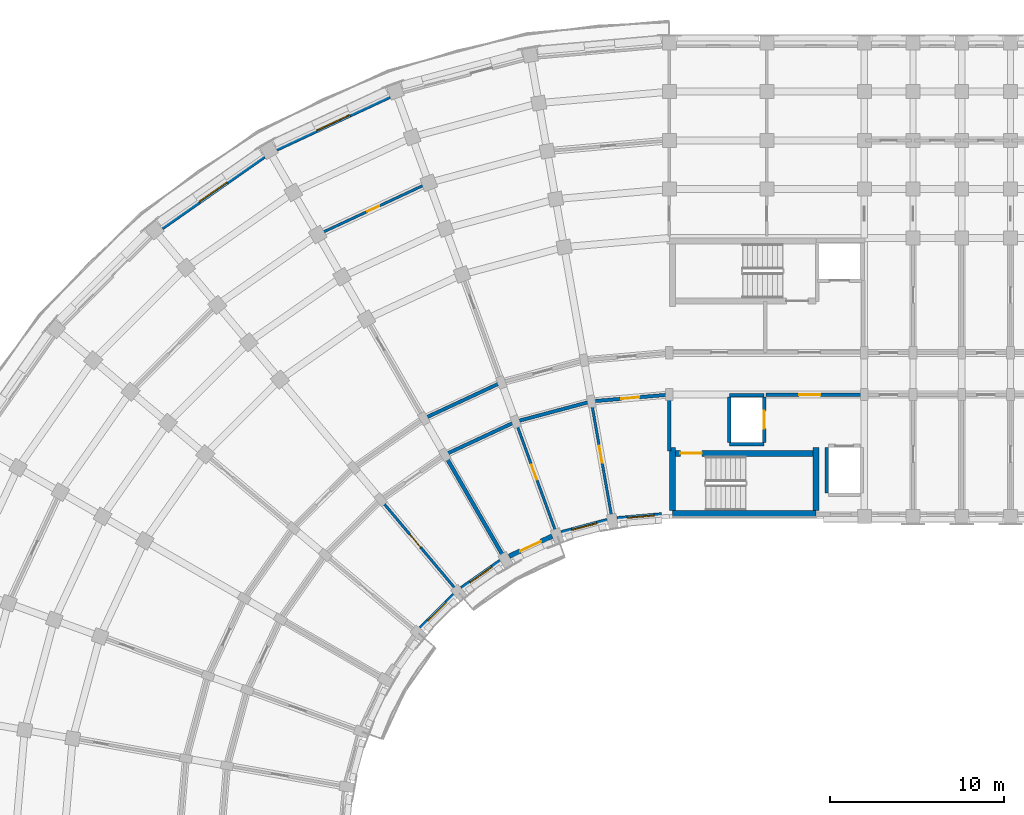
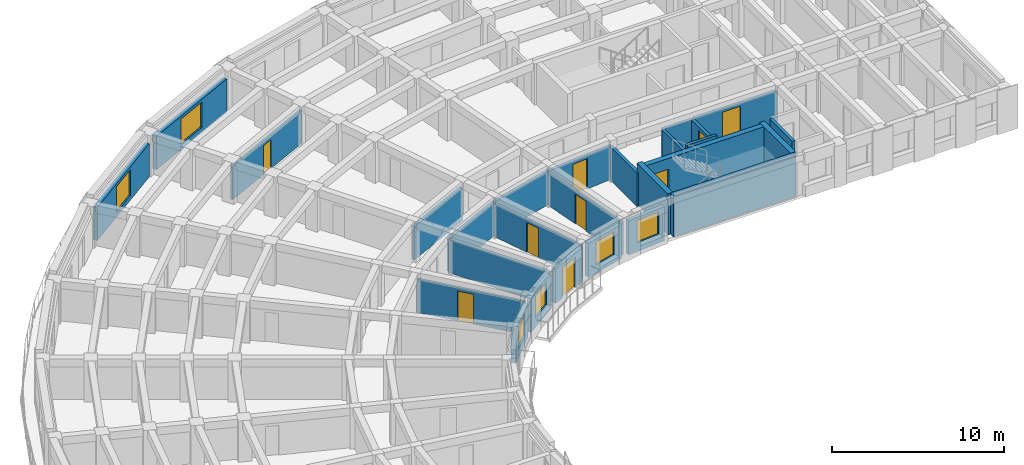
# One storey, part 25 of 54: 27 walls, 9 doors, 6 windows, 15 openings.
"""IFC4 building model written with IfcOpenShell, lengths in metres."""

from ifc_helpers import new_model, si_unit, direction, frame, frame_2d, origin, place, context, subcontext, project, spatial, rectangle, extrude, material, layer, layer_set, type_object, element, fill, save


model = new_model("IFC4")

# Units and contexts
model_context = context("Model", 3, precision=1e-05, world=origin(), true_north=direction((0.0, 1.0)))
body_context = subcontext(model_context, "Body", "Model", "MODEL_VIEW")
ifc_project = project(units=[si_unit("LENGTHUNIT", "METRE"), si_unit("AREAUNIT", "SQUARE_METRE"), si_unit("VOLUMEUNIT", "CUBIC_METRE"), si_unit("PLANEANGLEUNIT", "RADIAN"), si_unit("MASSUNIT", "GRAM", prefix="KILO")], contexts=[model_context])

# Site, building, storey
site_placement = place(None, origin())
site = spatial("IfcSite", under=ifc_project, at=site_placement, CompositionType="ELEMENT")
building_placement = place(site_placement, origin())
building = spatial("IfcBuilding", under=site, at=building_placement, Name="Kiranvali Square Residences", CompositionType="ELEMENT")
storey_placement = place(building_placement, frame((0.0, 0.0, 11.85009765625)))
storey = spatial("IfcBuildingStorey", under=building, at=storey_placement, Name="L03", CompositionType="ELEMENT", Elevation=11.85009765625)

# Wall, opening, door
ifc_material_1 = material(Name="Autoclaved aerated concrete blockwork masonry", Category="masonry")
ifc_layer_1 = layer(ifc_material_1, 0.199951171875)
ifc_layer_set_1 = layer_set([ifc_layer_1], Name="Autoclaved aerated concrete blockwork masonry")
wall_type_1 = type_object("IfcWallType", Name="WL-COR-200", PredefinedType="STANDARD", material=ifc_layer_set_1)
wall_1_placement = place(storey_placement, frame((53.75, 113.60009765625, 0.0), z_axis=(0.0, 0.0, 1.0), x_axis=(1.0, 0.0, 0.0)))
wall_1 = element("IfcWall", 1, at=wall_1_placement, inside=storey, type_object=wall_type_1, Name="L03 architectural wall WL-L03-A-LL-COR", PredefinedType="STANDARD", context=body_context, shape_type="SweptSolid", body=[
    extrude(rectangle(XDim=5.60009765625, YDim=0.199951171875, at=frame_2d((2.800048828125, 0.0))), origin(), (0.0, 0.0, 1.0), 2.371826171875),
])
opening_1_placement = place(wall_1_placement, frame((1.909912109375, 0.0, 0.0)))
opening_1 = element("IfcOpeningElement", 2, at=opening_1_placement, cuts=wall_1, Name="Opening FD-COR-60", PredefinedType="OPENING", context=body_context, shape_type="SweptSolid", body=[
    extrude(rectangle(XDim=1.219970703125, YDim=2.14990234375, at=frame_2d((0.60986328125, 1.074951171875))), frame((0.0, 0.10986328125, 0.0), z_axis=(0.0, -1.0, 0.0), x_axis=(1.0, 0.0, 0.0)), (0.0, 0.0, 1.0), 0.219970703125),
])
ifc_material_2 = material(Name="Fire-rated acoustic hardwood and mineral-core door assembly", Category="wood")
door_type_1 = type_object("IfcDoorType", Name="DR-FD60-1200", OperationType="NOTDEFINED", PredefinedType="DOOR", material=ifc_material_2)
door_1_placement = place(opening_1_placement, frame((1.219970703125, 0.0, 0.0), z_axis=(0.0, 0.0, 1.0), x_axis=(-1.0, 0.0, 0.0)))
door_1 = element("IfcDoor", 3, at=door_1_placement, inside=storey, type_object=door_type_1, Name="L03 door DR-L03-0222 (DR-FD60-1200)", OperationType="SINGLE_SWING_RIGHT", OverallHeight=2.14990234375, OverallWidth=1.219970703125, PredefinedType="DOOR", context=body_context, shape_type="SweptSolid", body=[
    extrude(rectangle(XDim=1.219970703125, YDim=2.14990234375, at=frame_2d((0.60986328125, 1.074951171875))), frame((0.0, 0.02490234375, 0.0), z_axis=(0.0, -1.0, 0.0), x_axis=(1.0, 0.0, 0.0)), (0.0, 0.0, 1.0), 0.050048828125),
])
fill(opening_1, door_1)

wall_2_placement = place(storey_placement, frame((48.199951171875, 113.60009765625, 0.0), z_axis=(0.0, 0.0, 1.0), x_axis=(-0.996191949488, -0.087187153726, 0.0)))
wall_2 = element("IfcWall", 4, at=wall_2_placement, inside=storey, type_object=wall_type_1, Name="L03 architectural wall WL-L03-A-CCI-0", PredefinedType="STANDARD", context=body_context, shape_type="SweptSolid", body=[
    extrude(rectangle(XDim=4.4970703125, YDim=0.199951171875, at=frame_2d((2.24853515625, 0.0))), origin(), (0.0, 0.0, 1.0), 2.371826171875),
])
opening_2_placement = place(wall_2_placement, frame((1.728515625, 0.0, 0.0)))
opening_2 = element("IfcOpeningElement", 5, at=opening_2_placement, cuts=wall_2, Name="Opening FD-APT-60B", PredefinedType="OPENING", context=body_context, shape_type="SweptSolid", body=[
    extrude(rectangle(XDim=1.0400390625, YDim=2.14990234375, at=frame_2d((0.52001953125, 1.074951171875))), frame((0.0, 0.10986328125, 0.0), z_axis=(0.0, -1.0, 0.0), x_axis=(1.0, 0.0, 0.0)), (0.0, 0.0, 1.0), 0.219970703125),
])
door_type_2 = type_object("IfcDoorType", Name="DR-APT-1040", OperationType="NOTDEFINED", PredefinedType="DOOR", material=ifc_material_2)
door_2_placement = place(opening_2_placement, frame((1.0400390625, 0.0, 0.0), z_axis=(0.0, 0.0, 1.0), x_axis=(-1.0, 0.0, 0.0)))
door_2 = element("IfcDoor", 6, at=door_2_placement, inside=storey, type_object=door_type_2, Name="L03 door DR-L03-0262 (DR-APT-1040)", OperationType="SINGLE_SWING_RIGHT", OverallHeight=2.14990234375, OverallWidth=1.0400390625, PredefinedType="DOOR", context=body_context, shape_type="SweptSolid", body=[
    extrude(rectangle(XDim=1.0400390625, YDim=2.14990234375, at=frame_2d((0.52001953125, 1.074951171875))), frame((0.0, 0.02490234375, 0.0), z_axis=(0.0, -1.0, 0.0), x_axis=(1.0, 0.0, 0.0)), (0.0, 0.0, 1.0), 0.050048828125),
])
fill(opening_2, door_2)

# Walls
for number, where, z_axis, x_axis, name in (
    (7, (43.719970703125, 113.2080078125, 0.0), (0.0, 0.0, 1.0), (-0.965934240054, -0.258787642463, 0.0), "L03 architectural wall WL-L03-A-CCI-1"),
    (8, (39.3759765625, 112.044189453125, 0.0), (0.0, 0.0, 1.0), (-0.906307919131, -0.422617978463, 0.0), "L03 architectural wall WL-L03-A-CCI-2"),
):
    element("IfcWall", number, at=place(storey_placement, frame(where, z_axis=z_axis, x_axis=x_axis)), inside=storey, type_object=wall_type_1, Name=name, PredefinedType="STANDARD", context=body_context, shape_type="SweptSolid", body=[
        extrude(rectangle(XDim=4.497314453125, YDim=0.199951171875, at=frame_2d((2.24853515625, 0.0))), origin(), (0.0, 0.0, 1.0), 2.371826171875),
    ])
wall_3_placement = place(storey_placement, frame((38.554931640625, 114.29931640625, 0.0), z_axis=(0.0, 0.0, 1.0), x_axis=(-0.906302381024, -0.422629854778, 0.0)))
element("IfcWall", 9, at=wall_3_placement, inside=storey, type_object=wall_type_1, Name="L03 architectural wall WL-L03-A-CCO-2", PredefinedType="STANDARD", context=body_context, shape_type="SweptSolid", body=[
    extrude(rectangle(XDim=4.915283203125, YDim=0.199951171875, at=frame_2d((2.45751953125, 0.0))), origin(), (0.0, 0.0, 1.0), 2.371826171875),
])
ifc_layer_2 = layer(ifc_material_1, 0.219970703125)
ifc_layer_set_2 = layer_set([ifc_layer_2], Name="Autoclaved aerated concrete blockwork masonry")
wall_type_2 = type_object("IfcWallType", Name="WL-DEM-220", PredefinedType="STANDARD", material=ifc_layer_set_2)
wall_4_placement = place(storey_placement, frame((48.199951171875, 110.35009765625, 0.0), z_axis=(0.0, 0.0, 1.0), x_axis=(0.0, 1.0, 0.0)))
element("IfcWall", 10, at=wall_4_placement, inside=storey, type_object=wall_type_2, Name="L03 architectural wall WL-L03-A-RADI-0", PredefinedType="STANDARD", context=body_context, shape_type="SweptSolid", body=[
    extrude(rectangle(XDim=3.199951171875, YDim=0.219970703125, at=frame_2d((1.60009765625, 0.0))), origin(), (0.0, 0.0, 1.0), 2.371826171875),
])
wall_5_placement = place(storey_placement, frame((38.699951171875, 104.25439453125, 0.0), z_axis=(0.0, 0.0, 1.0), x_axis=(-0.499997969693, 0.866026575979, 0.0)))
element("IfcWall", 11, at=wall_5_placement, inside=storey, type_object=wall_type_2, Name="L03 architectural wall WL-L03-A-RADI-3", PredefinedType="STANDARD", context=body_context, shape_type="SweptSolid", body=[
    extrude(rectangle(XDim=6.75, YDim=0.219970703125, at=frame_2d((3.375, 0.0))), origin(), (0.0, 0.0, 1.0), 2.371826171875),
])

# Wall, opening, window
ifc_material_3 = material(Name="Breathable lime-rendered clay brick masonry", Category="masonry")
ifc_layer_3 = layer(ifc_material_3, 0.27490234375)
ifc_layer_set_3 = layer_set([ifc_layer_3], Name="Breathable lime-rendered clay brick masonry")
wall_type_3 = type_object("IfcWallType", Name="WL-EXT-275", PredefinedType="STANDARD", material=ifc_layer_set_3)
wall_6_placement = place(storey_placement, frame((32.1328125, 130.732177734375, 0.0), z_axis=(0.0, 0.0, 1.0), x_axis=(-0.906300636296, -0.422633596215, 0.0)))
wall_6 = element("IfcWall", 12, at=wall_6_placement, inside=storey, type_object=wall_type_3, Name="L03 exterior wall A-L03-CRV-02", PredefinedType="STANDARD", context=body_context, shape_type="SweptSolid", body=[
    extrude(rectangle(XDim=7.164306640625, YDim=0.27490234375, at=frame_2d((3.58203125, 0.0))), origin(), (0.0, 0.0, 1.0), 2.371826171875),
])
opening_3_placement = place(wall_6_placement, frame((2.531982421875, 0.0, 0.3720703125)))
opening_3 = element("IfcOpeningElement", 13, at=opening_3_placement, cuts=wall_6, Name="Opening W-03", PredefinedType="OPENING", context=body_context, shape_type="SweptSolid", body=[
    extrude(rectangle(XDim=2.10009765625, YDim=1.800048828125, at=frame_2d((1.050048828125, 0.89990234375))), frame((0.0, 0.1474609375, 0.0), z_axis=(0.0, -1.0, 0.0), x_axis=(1.0, 0.0, 0.0)), (0.0, 0.0, 1.0), 0.294921875),
])
ifc_material_4 = material(Name="Solar-control low-e double glazing", Category="glass")
window_type_1 = type_object("IfcWindowType", Name="WIN-RES-2100x1800", PartitioningType="TRIPLE_PANEL_VERTICAL", PredefinedType="WINDOW", material=ifc_material_4)
window_1_placement = place(opening_3_placement, origin())
window_1 = element("IfcWindow", 14, at=window_1_placement, inside=storey, type_object=window_type_1, Name="L03 recessed window A-L03-CRV-02", OverallHeight=1.800048828125, OverallWidth=2.10009765625, PartitioningType="TRIPLE_PANEL_VERTICAL", PredefinedType="WINDOW", context=body_context, shape_type="SweptSolid", body=[
    extrude(rectangle(XDim=2.10009765625, YDim=1.800048828125, at=frame_2d((1.050048828125, 0.89990234375))), frame((0.0, 0.030029296875, 0.0), z_axis=(0.0, -1.0, 0.0), x_axis=(1.0, 0.0, 0.0)), (0.0, 0.0, 1.0), 0.06005859375),
])
fill(opening_3, window_1)

wall_7_placement = place(storey_placement, frame((24.921875, 127.289794921875, 0.0), z_axis=(0.0, 0.0, 1.0), x_axis=(-0.819161471697, -0.573562972382, 0.0)))
wall_7 = element("IfcWall", 15, at=wall_7_placement, inside=storey, type_object=wall_type_3, Name="L03 exterior wall A-L03-CRV-03", PredefinedType="STANDARD", context=body_context, shape_type="SweptSolid", body=[
    extrude(rectangle(XDim=7.164306640625, YDim=0.27490234375, at=frame_2d((3.58203125, 0.0))), origin(), (0.0, 0.0, 1.0), 2.371826171875),
])
opening_4_placement = place(wall_7_placement, frame((2.60693359375, 0.0, 0.322021484375)))
opening_4 = element("IfcOpeningElement", 16, at=opening_4_placement, cuts=wall_7, Name="Opening W-12", PredefinedType="OPENING", context=body_context, shape_type="SweptSolid", body=[
    extrude(rectangle(XDim=1.949951171875, YDim=1.85009765625, at=frame_2d((0.97509765625, 0.925048828125))), frame((0.0, 0.1474609375, 0.0), z_axis=(0.0, -1.0, 0.0), x_axis=(1.0, 0.0, 0.0)), (0.0, 0.0, 1.0), 0.294921875),
])
window_type_2 = type_object("IfcWindowType", Name="WIN-RES-1950x1850", PartitioningType="DOUBLE_PANEL_VERTICAL", PredefinedType="WINDOW", material=ifc_material_4)
window_2_placement = place(opening_4_placement, origin())
window_2 = element("IfcWindow", 17, at=window_2_placement, inside=storey, type_object=window_type_2, Name="L03 recessed window A-L03-CRV-03", OverallHeight=1.85009765625, OverallWidth=1.949951171875, PartitioningType="DOUBLE_PANEL_VERTICAL", PredefinedType="WINDOW", context=body_context, shape_type="SweptSolid", body=[
    extrude(rectangle(XDim=1.949951171875, YDim=1.85009765625, at=frame_2d((0.97509765625, 0.925048828125))), frame((0.0, 0.030029296875, 0.0), z_axis=(0.0, -1.0, 0.0), x_axis=(1.0, 0.0, 0.0)), (0.0, 0.0, 1.0), 0.06005859375),
])
fill(opening_4, window_2)

wall_8_placement = place(storey_placement, frame((47.750732421875, 106.686279296875, 0.0), z_axis=(0.0, 0.0, 1.0), x_axis=(-0.996194235595, -0.08716102895, 0.0)))
wall_8 = element("IfcWall", 18, at=wall_8_placement, inside=storey, type_object=wall_type_3, Name="L03 exterior wall A-L03-GDN-00", PredefinedType="STANDARD", context=body_context, shape_type="SweptSolid", body=[
    extrude(rectangle(XDim=2.557373046875, YDim=0.27490234375, at=frame_2d((1.27880859375, 0.0))), origin(), (0.0, 0.0, 1.0), 2.421875),
])
opening_5_placement = place(wall_8_placement, frame((0.423583984375, 0.0, 0.6220703125)))
opening_5 = element("IfcOpeningElement", 19, at=opening_5_placement, cuts=wall_8, Name="Opening W-18", PredefinedType="OPENING", context=body_context, shape_type="SweptSolid", body=[
    extrude(rectangle(XDim=1.550048828125, YDim=1.60009765625, at=frame_2d((0.77490234375, 0.800048828125))), frame((0.0, 0.1474609375, 0.0), z_axis=(0.0, -1.0, 0.0), x_axis=(1.0, 0.0, 0.0)), (0.0, 0.0, 1.0), 0.294921875),
])
window_type_3 = type_object("IfcWindowType", Name="WIN-GDN-1550x1600", PartitioningType="DOUBLE_PANEL_VERTICAL", PredefinedType="WINDOW", material=ifc_material_4)
window_3_placement = place(opening_5_placement, origin())
window_3 = element("IfcWindow", 20, at=window_3_placement, inside=storey, type_object=window_type_3, Name="L03 recessed window A-L03-GDN-00", OverallHeight=1.60009765625, OverallWidth=1.550048828125, PartitioningType="DOUBLE_PANEL_VERTICAL", PredefinedType="WINDOW", context=body_context, shape_type="SweptSolid", body=[
    extrude(rectangle(XDim=1.550048828125, YDim=1.60009765625, at=frame_2d((0.77490234375, 0.800048828125))), frame((0.0, 0.030029296875, 0.0), z_axis=(0.0, -1.0, 0.0), x_axis=(1.0, 0.0, 0.0)), (0.0, 0.0, 1.0), 0.06005859375),
])
fill(opening_5, window_3)

wall_9_placement = place(storey_placement, frame((44.6328125, 106.36279296875, 0.0), z_axis=(0.0, 0.0, 1.0), x_axis=(-0.965925595341, -0.258819907011, 0.0)))
wall_9 = element("IfcWall", 21, at=wall_9_placement, inside=storey, type_object=wall_type_3, Name="L03 exterior wall A-L03-GDN-01", PredefinedType="STANDARD", context=body_context, shape_type="SweptSolid", body=[
    extrude(rectangle(XDim=2.717529296875, YDim=0.27490234375, at=frame_2d((1.35888671875, 0.0))), origin(), (0.0, 0.0, 1.0), 2.421875),
])
opening_6_placement = place(wall_9_placement, frame((0.608642578125, 0.0, 0.572021484375)))
opening_6 = element("IfcOpeningElement", 22, at=opening_6_placement, cuts=wall_9, Name="Opening W-05", PredefinedType="OPENING", context=body_context, shape_type="SweptSolid", body=[
    extrude(rectangle(XDim=1.5, YDim=1.64990234375, at=frame_2d((0.75, 0.824951171875))), frame((0.0, 0.1474609375, 0.0), z_axis=(0.0, -1.0, 0.0), x_axis=(1.0, 0.0, 0.0)), (0.0, 0.0, 1.0), 0.294921875),
])
window_type_4 = type_object("IfcWindowType", Name="WIN-RES-1500x1650", PartitioningType="DOUBLE_PANEL_VERTICAL", PredefinedType="WINDOW", material=ifc_material_4)
window_4_placement = place(opening_6_placement, origin())
window_4 = element("IfcWindow", 23, at=window_4_placement, inside=storey, type_object=window_type_4, Name="L03 recessed window A-L03-GDN-01", OverallHeight=1.64990234375, OverallWidth=1.5, PartitioningType="DOUBLE_PANEL_VERTICAL", PredefinedType="WINDOW", context=body_context, shape_type="SweptSolid", body=[
    extrude(rectangle(XDim=1.5, YDim=1.64990234375, at=frame_2d((0.75, 0.824951171875))), frame((0.0, 0.030029296875, 0.0), z_axis=(0.0, -1.0, 0.0), x_axis=(1.0, 0.0, 0.0)), (0.0, 0.0, 1.0), 0.06005859375),
])
fill(opening_6, window_4)

# Wall, opening, door
wall_10_placement = place(storey_placement, frame((41.463623046875, 105.461181640625, 0.0), z_axis=(0.0, 0.0, 1.0), x_axis=(-0.906311629168, -0.422610022166, 0.0)))
wall_10 = element("IfcWall", 24, at=wall_10_placement, inside=storey, type_object=wall_type_3, Name="L03 exterior wall A-L03-GDN-02", PredefinedType="STANDARD", context=body_context, shape_type="SweptSolid", body=[
    extrude(rectangle(XDim=2.717529296875, YDim=0.27490234375, at=frame_2d((1.35888671875, 0.0))), origin(), (0.0, 0.0, 1.0), 2.421875),
])
opening_7_placement = place(wall_10_placement, frame((0.69873046875, 0.0, 0.0)))
opening_7 = element("IfcOpeningElement", 25, at=opening_7_placement, cuts=wall_10, Name="Opening ED-BAL-3", PredefinedType="OPENING", context=body_context, shape_type="SweptSolid", body=[
    extrude(rectangle(XDim=1.320068359375, YDim=2.14990234375, at=frame_2d((0.66015625, 1.074951171875))), frame((0.0, 0.1474609375, 0.0), z_axis=(0.0, -1.0, 0.0), x_axis=(1.0, 0.0, 0.0)), (0.0, 0.0, 1.0), 0.294921875),
])
ifc_material_5 = material(Name="Anodised bronze aluminium framing", Category="aluminium")
door_type_3 = type_object("IfcDoorType", Name="DR-BAL-1320", OperationType="NOTDEFINED", PredefinedType="DOOR", material=ifc_material_5)
door_3_placement = place(opening_7_placement, origin())
door_3 = element("IfcDoor", 26, at=door_3_placement, inside=storey, type_object=door_type_3, Name="L03 balcony terrace door", OperationType="SINGLE_SWING_LEFT", OverallHeight=2.14990234375, OverallWidth=1.320068359375, PredefinedType="DOOR", context=body_context, shape_type="SweptSolid", body=[
    extrude(rectangle(XDim=1.320068359375, YDim=2.14990234375, at=frame_2d((0.66015625, 1.074951171875))), frame((0.0, 0.02490234375, 0.0), z_axis=(0.0, -1.0, 0.0), x_axis=(1.0, 0.0, 0.0)), (0.0, 0.0, 1.0), 0.050048828125),
])
fill(opening_7, door_3)

# Wall, opening, window
wall_11_placement = place(storey_placement, frame((38.4990234375, 104.023193359375, 0.0), z_axis=(0.0, 0.0, 1.0), x_axis=(-0.81917282593, -0.573546755948, 0.0)))
wall_11 = element("IfcWall", 27, at=wall_11_placement, inside=storey, type_object=wall_type_3, Name="L03 exterior wall A-L03-GDN-03", PredefinedType="STANDARD", context=body_context, shape_type="SweptSolid", body=[
    extrude(rectangle(XDim=2.717529296875, YDim=0.27490234375, at=frame_2d((1.35888671875, 0.0))), origin(), (0.0, 0.0, 1.0), 2.421875),
])
opening_8_placement = place(wall_11_placement, frame((0.583740234375, 0.0, 0.6220703125)))
opening_8 = element("IfcOpeningElement", 28, at=opening_8_placement, cuts=wall_11, Name="Opening W-18", PredefinedType="OPENING", context=body_context, shape_type="SweptSolid", body=[
    extrude(rectangle(XDim=1.550048828125, YDim=1.60009765625, at=frame_2d((0.77490234375, 0.800048828125))), frame((0.0, 0.1474609375, 0.0), z_axis=(0.0, -1.0, 0.0), x_axis=(1.0, 0.0, 0.0)), (0.0, 0.0, 1.0), 0.294921875),
])
window_5_placement = place(opening_8_placement, origin())
window_5 = element("IfcWindow", 29, at=window_5_placement, inside=storey, type_object=window_type_3, Name="L03 recessed window A-L03-GDN-03", OverallHeight=1.60009765625, OverallWidth=1.550048828125, PartitioningType="DOUBLE_PANEL_VERTICAL", PredefinedType="WINDOW", context=body_context, shape_type="SweptSolid", body=[
    extrude(rectangle(XDim=1.550048828125, YDim=1.60009765625, at=frame_2d((0.77490234375, 0.800048828125))), frame((0.0, 0.030029296875, 0.0), z_axis=(0.0, -1.0, 0.0), x_axis=(1.0, 0.0, 0.0)), (0.0, 0.0, 1.0), 0.06005859375),
])
fill(opening_8, window_5)

wall_12_placement = place(storey_placement, frame((35.829345703125, 102.09228515625, 0.0), z_axis=(0.0, 0.0, 1.0), x_axis=(-0.707106781187, -0.707106781187, 0.0)))
wall_12 = element("IfcWall", 30, at=wall_12_placement, inside=storey, type_object=wall_type_3, Name="L03 exterior wall A-L03-GDN-04", PredefinedType="STANDARD", context=body_context, shape_type="SweptSolid", body=[
    extrude(rectangle(XDim=2.717529296875, YDim=0.27490234375, at=frame_2d((1.35888671875, 0.0))), origin(), (0.0, 0.0, 1.0), 2.421875),
])
opening_9_placement = place(wall_12_placement, frame((0.608642578125, 0.0, 0.572021484375)))
opening_9 = element("IfcOpeningElement", 31, at=opening_9_placement, cuts=wall_12, Name="Opening W-05", PredefinedType="OPENING", context=body_context, shape_type="SweptSolid", body=[
    extrude(rectangle(XDim=1.5, YDim=1.64990234375, at=frame_2d((0.75, 0.824951171875))), frame((0.0, 0.1474609375, 0.0), z_axis=(0.0, -1.0, 0.0), x_axis=(1.0, 0.0, 0.0)), (0.0, 0.0, 1.0), 0.294921875),
])
window_6_placement = place(opening_9_placement, origin())
window_6 = element("IfcWindow", 32, at=window_6_placement, inside=storey, type_object=window_type_4, Name="L03 recessed window A-L03-GDN-04", OverallHeight=1.64990234375, OverallWidth=1.5, PartitioningType="DOUBLE_PANEL_VERTICAL", PredefinedType="WINDOW", context=body_context, shape_type="SweptSolid", body=[
    extrude(rectangle(XDim=1.5, YDim=1.64990234375, at=frame_2d((0.75, 0.824951171875))), frame((0.0, 0.030029296875, 0.0), z_axis=(0.0, -1.0, 0.0), x_axis=(1.0, 0.0, 0.0)), (0.0, 0.0, 1.0), 0.06005859375),
])
fill(opening_9, window_6)

# Wall, opening, door
ifc_material_6 = material(Name="Acoustic gypsum board drylined partition", Category="gypsum")
ifc_layer_4 = layer(ifc_material_6, 0.14990234375)
ifc_layer_set_4 = layer_set([ifc_layer_4], Name="Acoustic gypsum board drylined partition")
wall_type_4 = type_object("IfcWallType", Name="WL-PRT-150", PredefinedType="PARTITIONING", material=ifc_layer_set_4)
wall_13_placement = place(storey_placement, frame((44.900634765625, 106.51123046875, 0.0), z_axis=(0.0, 0.0, 1.0), x_axis=(-0.173647089161, 0.984807944945, 0.0)))
wall_13 = element("IfcWall", 33, at=wall_13_placement, inside=storey, type_object=wall_type_4, Name="L03 architectural wall WL-L03-A-RADI-1", PredefinedType="PARTITIONING", context=body_context, shape_type="SweptSolid", body=[
    extrude(rectangle(XDim=6.75, YDim=0.14990234375, at=frame_2d((3.375, 0.0))), origin(), (0.0, 0.0, 1.0), 2.371826171875),
])
opening_10_placement = place(wall_13_placement, frame((3.222412109375, 0.0, 0.0)))
opening_10 = element("IfcOpeningElement", 34, at=opening_10_placement, cuts=wall_13, Name="Opening ID-3", PredefinedType="OPENING", context=body_context, shape_type="SweptSolid", body=[
    extrude(rectangle(XDim=0.97998046875, YDim=2.1201171875, at=frame_2d((0.489990234375, 1.06005859375))), frame((0.0, 0.0849609375, 0.0), z_axis=(0.0, -1.0, 0.0), x_axis=(1.0, 0.0, 0.0)), (0.0, 0.0, 1.0), 0.169921875),
])
ifc_material_7 = material(Name="Solid seasoned teak hardwood joinery", Category="wood")
door_type_4 = type_object("IfcDoorType", Name="DR-INT-980", OperationType="NOTDEFINED", PredefinedType="DOOR", material=ifc_material_7)
door_4_placement = place(opening_10_placement, frame((0.97998046875, 0.0, 0.0), z_axis=(0.0, 0.0, 1.0), x_axis=(-1.0, 0.0, 0.0)))
door_4 = element("IfcDoor", 35, at=door_4_placement, inside=storey, type_object=door_type_4, Name="L03 door DR-L03-0242 (DR-INT-980)", OperationType="SINGLE_SWING_RIGHT", OverallHeight=2.1201171875, OverallWidth=0.97998046875, PredefinedType="DOOR", context=body_context, shape_type="SweptSolid", body=[
    extrude(rectangle(XDim=0.97998046875, YDim=2.1201171875, at=frame_2d((0.489990234375, 1.06005859375))), frame((0.0, 0.02490234375, 0.0), z_axis=(0.0, -1.0, 0.0), x_axis=(1.0, 0.0, 0.0)), (0.0, 0.0, 1.0), 0.050048828125),
])
fill(opening_10, door_4)

wall_14_placement = place(storey_placement, frame((41.70166015625, 105.654052734375, 0.0), z_axis=(0.0, 0.0, 1.0), x_axis=(-0.342010221662, 0.939696231917, 0.0)))
wall_14 = element("IfcWall", 36, at=wall_14_placement, inside=storey, type_object=wall_type_4, Name="L03 architectural wall WL-L03-A-RADI-2", PredefinedType="PARTITIONING", context=body_context, shape_type="SweptSolid", body=[
    extrude(rectangle(XDim=6.75, YDim=0.14990234375, at=frame_2d((3.375, 0.0))), origin(), (0.0, 0.0, 1.0), 2.371826171875),
])
opening_11_placement = place(wall_14_placement, frame((3.262451171875, 0.0, 0.0)))
opening_11 = element("IfcOpeningElement", 37, at=opening_11_placement, cuts=wall_14, Name="Opening ID-1", PredefinedType="OPENING", context=body_context, shape_type="SweptSolid", body=[
    extrude(rectangle(XDim=0.89990234375, YDim=2.10009765625, at=frame_2d((0.449951171875, 1.050048828125))), frame((0.0, 0.0849609375, 0.0), z_axis=(0.0, -1.0, 0.0), x_axis=(1.0, 0.0, 0.0)), (0.0, 0.0, 1.0), 0.169921875),
])
door_type_5 = type_object("IfcDoorType", Name="DR-INT-900", OperationType="NOTDEFINED", PredefinedType="DOOR", material=ifc_material_7)
door_5_placement = place(opening_11_placement, origin())
door_5 = element("IfcDoor", 38, at=door_5_placement, inside=storey, type_object=door_type_5, Name="L03 door DR-L03-0243 (DR-INT-900)", OperationType="SINGLE_SWING_LEFT", OverallHeight=2.10009765625, OverallWidth=0.89990234375, PredefinedType="DOOR", context=body_context, shape_type="SweptSolid", body=[
    extrude(rectangle(XDim=0.89990234375, YDim=2.10009765625, at=frame_2d((0.449951171875, 1.050048828125))), frame((0.0, 0.02490234375, 0.0), z_axis=(0.0, -1.0, 0.0), x_axis=(1.0, 0.0, 0.0)), (0.0, 0.0, 1.0), 0.050048828125),
])
fill(opening_11, door_5)

wall_15_placement = place(storey_placement, frame((35.987060546875, 102.354736328125, 0.0), z_axis=(0.0, 0.0, 1.0), x_axis=(-0.642784846501, 0.766046761698, 0.0)))
wall_15 = element("IfcWall", 39, at=wall_15_placement, inside=storey, type_object=wall_type_4, Name="L03 architectural wall WL-L03-A-RADI-4", PredefinedType="PARTITIONING", context=body_context, shape_type="SweptSolid", body=[
    extrude(rectangle(XDim=6.75, YDim=0.14990234375, at=frame_2d((3.375, 0.0))), origin(), (0.0, 0.0, 1.0), 2.371826171875),
])
opening_12_placement = place(wall_15_placement, frame((3.222412109375, 0.0, 0.0)))
opening_12 = element("IfcOpeningElement", 40, at=opening_12_placement, cuts=wall_15, Name="Opening ID-3", PredefinedType="OPENING", context=body_context, shape_type="SweptSolid", body=[
    extrude(rectangle(XDim=0.97998046875, YDim=2.1201171875, at=frame_2d((0.489990234375, 1.06005859375))), frame((0.0, 0.0849609375, 0.0), z_axis=(0.0, -1.0, 0.0), x_axis=(1.0, 0.0, 0.0)), (0.0, 0.0, 1.0), 0.169921875),
])
door_6_placement = place(opening_12_placement, frame((0.97998046875, 0.0, 0.0), z_axis=(0.0, 0.0, 1.0), x_axis=(-1.0, 0.0, 0.0)))
door_6 = element("IfcDoor", 41, at=door_6_placement, inside=storey, type_object=door_type_4, Name="L03 door DR-L03-0246 (DR-INT-980)", OperationType="SINGLE_SWING_RIGHT", OverallHeight=2.1201171875, OverallWidth=0.97998046875, PredefinedType="DOOR", context=body_context, shape_type="SweptSolid", body=[
    extrude(rectangle(XDim=0.97998046875, YDim=2.1201171875, at=frame_2d((0.489990234375, 1.06005859375))), frame((0.0, 0.02490234375, 0.0), z_axis=(0.0, -1.0, 0.0), x_axis=(1.0, 0.0, 0.0)), (0.0, 0.0, 1.0), 0.050048828125),
])
fill(opening_12, door_6)

# Walls
ifc_layer_5 = layer(ifc_material_1, 0.199951171875)
ifc_layer_set_5 = layer_set([ifc_layer_5], Name="Autoclaved aerated concrete blockwork masonry")
wall_type_5 = type_object("IfcWallType", Name="WL-SHF-200", PredefinedType="STANDARD", material=ifc_layer_set_5)
wall_16_placement = place(storey_placement, frame((57.25, 107.949951171875, 0.0), z_axis=(0.0, 0.0, 1.0), x_axis=(0.0, 1.0, 0.0)))
element("IfcWall", 42, at=wall_16_placement, inside=storey, type_object=wall_type_5, Name="L03 architectural wall WL-L03-A-LP1-S1", PredefinedType="STANDARD", context=body_context, shape_type="SweptSolid", body=[
    extrude(rectangle(XDim=2.60009765625, YDim=0.199951171875, at=frame_2d((1.300048828125, 0.0))), origin(), (0.0, 0.0, 1.0), 2.929931640625),
])
wall_17_placement = place(storey_placement, frame((51.64990234375, 110.75, 0.0), z_axis=(0.0, 0.0, 1.0), x_axis=(1.0, 0.0, 0.0)))
element("IfcWall", 43, at=wall_17_placement, inside=storey, type_object=wall_type_5, Name="L03 architectural wall WL-L03-A-LP2-S0", PredefinedType="STANDARD", context=body_context, shape_type="SweptSolid", body=[
    extrude(rectangle(XDim=2.0, YDim=0.199951171875, at=frame_2d((1.0, 0.0))), origin(), (0.0, 0.0, 1.0), 2.929931640625),
])
wall_18_placement = place(storey_placement, frame((51.64990234375, 113.550048828125, 0.0), z_axis=(0.0, 0.0, 1.0), x_axis=(1.0, 0.0, 0.0)))
element("IfcWall", 44, at=wall_18_placement, inside=storey, type_object=wall_type_5, Name="L03 architectural wall WL-L03-A-LP2-B", PredefinedType="STANDARD", context=body_context, shape_type="SweptSolid", body=[
    extrude(rectangle(XDim=2.0, YDim=0.199951171875, at=frame_2d((1.0, 0.0))), origin(), (0.0, 0.0, 1.0), 2.371826171875),
])
wall_19_placement = place(storey_placement, frame((51.64990234375, 110.85009765625, 0.0), z_axis=(0.0, 0.0, 1.0), x_axis=(0.0, 1.0, 0.0)))
element("IfcWall", 45, at=wall_19_placement, inside=storey, type_object=wall_type_5, Name="L03 architectural wall WL-L03-A-LP2-S1", PredefinedType="STANDARD", context=body_context, shape_type="SweptSolid", body=[
    extrude(rectangle(XDim=2.599853515625, YDim=0.199951171875, at=frame_2d((1.2998046875, 0.0))), origin(), (0.0, 0.0, 1.0), 2.371826171875),
])

# Wall, opening, door
wall_20_placement = place(storey_placement, frame((53.64990234375, 110.85009765625, 0.0), z_axis=(0.0, 0.0, 1.0), x_axis=(0.0, 1.0, 0.0)))
wall_20 = element("IfcWall", 46, at=wall_20_placement, inside=storey, type_object=wall_type_5, Name="L03 architectural wall WL-L03-A-LP2-F", PredefinedType="STANDARD", context=body_context, shape_type="SweptSolid", body=[
    extrude(rectangle(XDim=2.599853515625, YDim=0.199951171875, at=frame_2d((1.2998046875, 0.0))), origin(), (0.0, 0.0, 1.0), 2.371826171875),
])
opening_13_placement = place(wall_20_placement, frame((0.7900390625, 0.0, 0.0)))
opening_13 = element("IfcOpeningElement", 47, at=opening_13_placement, cuts=wall_20, Name="Opening LD-PAX-100", PredefinedType="OPENING", context=body_context, shape_type="SweptSolid", body=[
    extrude(rectangle(XDim=1.02001953125, YDim=2.14990234375, at=frame_2d((0.510009765625, 1.074951171875))), frame((0.0, 0.10986328125, 0.0), z_axis=(0.0, -1.0, 0.0), x_axis=(1.0, 0.0, 0.0)), (0.0, 0.0, 1.0), 0.219970703125),
])
door_type_6 = type_object("IfcDoorType", Name="DR-LIFT-1000", OperationType="SLIDING_TO_RIGHT", PredefinedType="DOOR", material=ifc_material_2)
door_7_placement = place(opening_13_placement, origin())
door_7 = element("IfcDoor", 48, at=door_7_placement, inside=storey, type_object=door_type_6, Name="L03 door DR-L03-0221 (DR-LIFT-1000)", OperationType="SLIDING_TO_RIGHT", OverallHeight=2.14990234375, OverallWidth=1.02001953125, PredefinedType="DOOR", context=body_context, shape_type="SweptSolid", body=[
    extrude(rectangle(XDim=1.02001953125, YDim=2.14990234375, at=frame_2d((0.510009765625, 1.074951171875))), frame((0.0, 0.02490234375, 0.0), z_axis=(0.0, -1.0, 0.0), x_axis=(1.0, 0.0, 0.0)), (0.0, 0.0, 1.0), 0.050048828125),
])
fill(opening_13, door_7)

# Wall
ifc_material_8 = material(Name="Concrete M50 (50 MPa)", Category="concrete")
ifc_layer_6 = layer(ifc_material_8, 0.35009765625)
ifc_layer_set_6 = layer_set([ifc_layer_6], Name="Concrete M50 (50 MPa)")
wall_type_6 = type_object("IfcWallType", Name="WL-SHR-350", PredefinedType="SHEAR", material=ifc_layer_set_6)
wall_21_placement = place(storey_placement, frame((48.375, 106.77490234375, 0.0), z_axis=(0.0, 0.0, 1.0), x_axis=(1.0, 0.0, 0.0)))
element("IfcWall", 49, at=wall_21_placement, inside=storey, type_object=wall_type_6, Name="Block A core shear wall SW-A2-OUT-L03", PredefinedType="SHEAR", context=body_context, shape_type="SweptSolid", body=[
    extrude(rectangle(XDim=8.25, YDim=0.35009765625, at=frame_2d((4.125, 0.0))), origin(), (0.0, 0.0, 1.0), 2.929931640625),
])

# Wall, opening, door
wall_22_placement = place(storey_placement, frame((48.550048828125, 110.22509765625, 0.0), z_axis=(0.0, 0.0, 1.0), x_axis=(1.0, 0.0, 0.0)))
wall_22 = element("IfcWall", 50, at=wall_22_placement, inside=storey, type_object=wall_type_6, Name="Block A core shear wall SW-A2-IN-L03", PredefinedType="SHEAR", context=body_context, shape_type="SweptSolid", body=[
    extrude(rectangle(XDim=7.89990234375, YDim=0.35009765625, at=frame_2d((3.949951171875, 0.0))), origin(), (0.0, 0.0, 1.0), 2.929931640625),
])
opening_14_placement = place(wall_22_placement, frame((0.280029296875, 0.0, 0.0)))
opening_14 = element("IfcOpeningElement", 51, at=opening_14_placement, cuts=wall_22, Name="Opening FD-ST-120", PredefinedType="OPENING", context=body_context, shape_type="SweptSolid", body=[
    extrude(rectangle(XDim=1.239990234375, YDim=2.14990234375, at=frame_2d((0.6201171875, 1.074951171875))), frame((0.0, 0.18505859375, 0.0), z_axis=(0.0, -1.0, 0.0), x_axis=(1.0, 0.0, 0.0)), (0.0, 0.0, 1.0), 0.3701171875),
])
door_type_7 = type_object("IfcDoorType", Name="DR-FD120-1200", OperationType="NOTDEFINED", PredefinedType="DOOR", material=ifc_material_2)
door_8_placement = place(opening_14_placement, frame((1.239990234375, 0.0, 0.0), z_axis=(0.0, 0.0, 1.0), x_axis=(-1.0, 0.0, 0.0)))
door_8 = element("IfcDoor", 52, at=door_8_placement, inside=storey, type_object=door_type_7, Name="L03 door DR-L03-0218 (DR-FD120-1200)", OperationType="SINGLE_SWING_RIGHT", OverallHeight=2.14990234375, OverallWidth=1.239990234375, PredefinedType="DOOR", context=body_context, shape_type="SweptSolid", body=[
    extrude(rectangle(XDim=1.239990234375, YDim=2.14990234375, at=frame_2d((0.6201171875, 1.074951171875))), frame((0.0, 0.02490234375, 0.0), z_axis=(0.0, -1.0, 0.0), x_axis=(1.0, 0.0, 0.0)), (0.0, 0.0, 1.0), 0.050048828125),
])
fill(opening_14, door_8)

# Walls
for number, where, z_axis, x_axis, name in (
    (53, (48.375, 106.949951171875, 0.0), (0.0, 0.0, 1.0), (0.0, 1.0, 0.0), "Block A core shear wall SW-A2-NEAR-L03"),
    (54, (56.625, 106.949951171875, 0.0), (0.0, 0.0, 1.0), (0.0, 1.0, 0.0), "Block A core shear wall SW-A2-FAR-L03"),
):
    element("IfcWall", number, at=place(storey_placement, frame(where, z_axis=z_axis, x_axis=x_axis)), inside=storey, type_object=wall_type_6, Name=name, PredefinedType="SHEAR", context=body_context, shape_type="SweptSolid", body=[
        extrude(rectangle(XDim=3.60009765625, YDim=0.35009765625, at=frame_2d((1.800048828125, 0.0))), origin(), (0.0, 0.0, 1.0), 2.929931640625),
    ])

# Wall, opening, door
ifc_layer_7 = layer(ifc_material_1, 0.14990234375)
ifc_layer_set_7 = layer_set([ifc_layer_7], Name="Autoclaved aerated concrete blockwork masonry")
wall_type_7 = type_object("IfcWallType", Name="WL-WET-150", PredefinedType="PLUMBINGWALL", material=ifc_layer_set_7)
wall_23_placement = place(storey_placement, frame((34.38232421875, 125.763671875, 0.0), z_axis=(0.0, 0.0, 1.0), x_axis=(-0.906297360311, -0.422640621205, 0.0)))
wall_23 = element("IfcWall", 55, at=wall_23_placement, inside=storey, type_object=wall_type_7, Name="L03 architectural wall WL-L03-A-CWET-2", PredefinedType="PLUMBINGWALL", context=body_context, shape_type="SweptSolid", body=[
    extrude(rectangle(XDim=7.042236328125, YDim=0.14990234375, at=frame_2d((3.52099609375, 0.0))), origin(), (0.0, 0.0, 1.0), 2.371826171875),
])
opening_15_placement = place(wall_23_placement, frame((3.14111328125, 0.0, 0.0)))
opening_15 = element("IfcOpeningElement", 56, at=opening_15_placement, cuts=wall_23, Name="Opening ID-WET0", PredefinedType="OPENING", context=body_context, shape_type="SweptSolid", body=[
    extrude(rectangle(XDim=0.760009765625, YDim=2.050048828125, at=frame_2d((0.3798828125, 1.02490234375))), frame((0.0, 0.0849609375, 0.0), z_axis=(0.0, -1.0, 0.0), x_axis=(1.0, 0.0, 0.0)), (0.0, 0.0, 1.0), 0.169921875),
])
door_type_8 = type_object("IfcDoorType", Name="DR-WET-760", OperationType="NOTDEFINED", PredefinedType="DOOR", material=ifc_material_7)
door_9_placement = place(opening_15_placement, frame((0.760009765625, 0.0, 0.0), z_axis=(0.0, 0.0, 1.0), x_axis=(-1.0, 0.0, 0.0)))
door_9 = element("IfcDoor", 57, at=door_9_placement, inside=storey, type_object=door_type_8, Name="L03 door DR-L03-0256 (DR-WET-760)", OperationType="SINGLE_SWING_RIGHT", OverallHeight=2.050048828125, OverallWidth=0.760009765625, PredefinedType="DOOR", context=body_context, shape_type="SweptSolid", body=[
    extrude(rectangle(XDim=0.760009765625, YDim=2.050048828125, at=frame_2d((0.3798828125, 1.02490234375))), frame((0.0, 0.02490234375, 0.0), z_axis=(0.0, -1.0, 0.0), x_axis=(1.0, 0.0, 0.0)), (0.0, 0.0, 1.0), 0.050048828125),
])
fill(opening_15, door_9)

save(model, "model.ifc")
